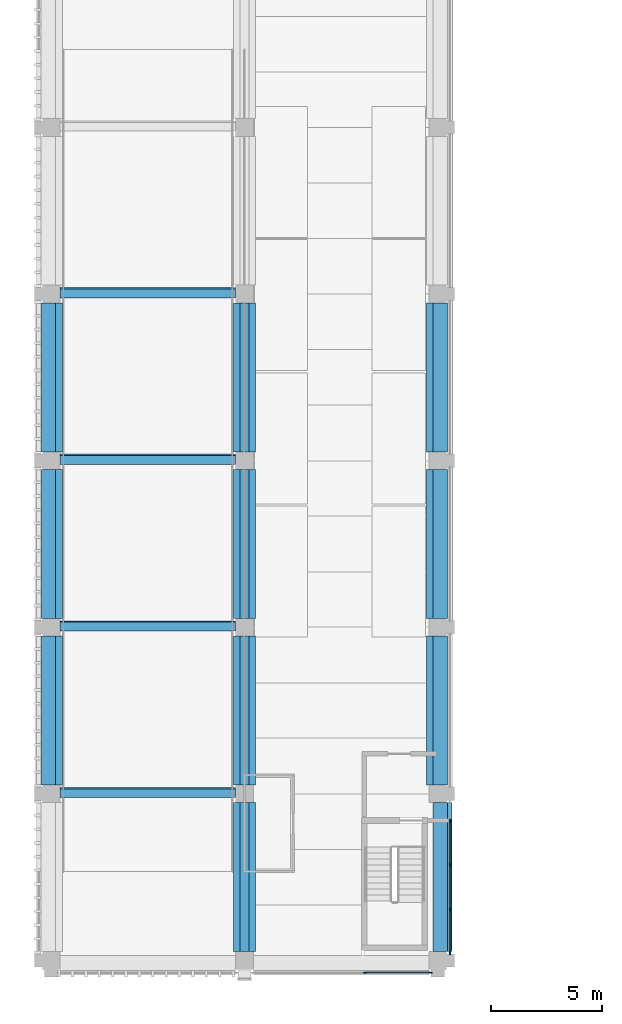
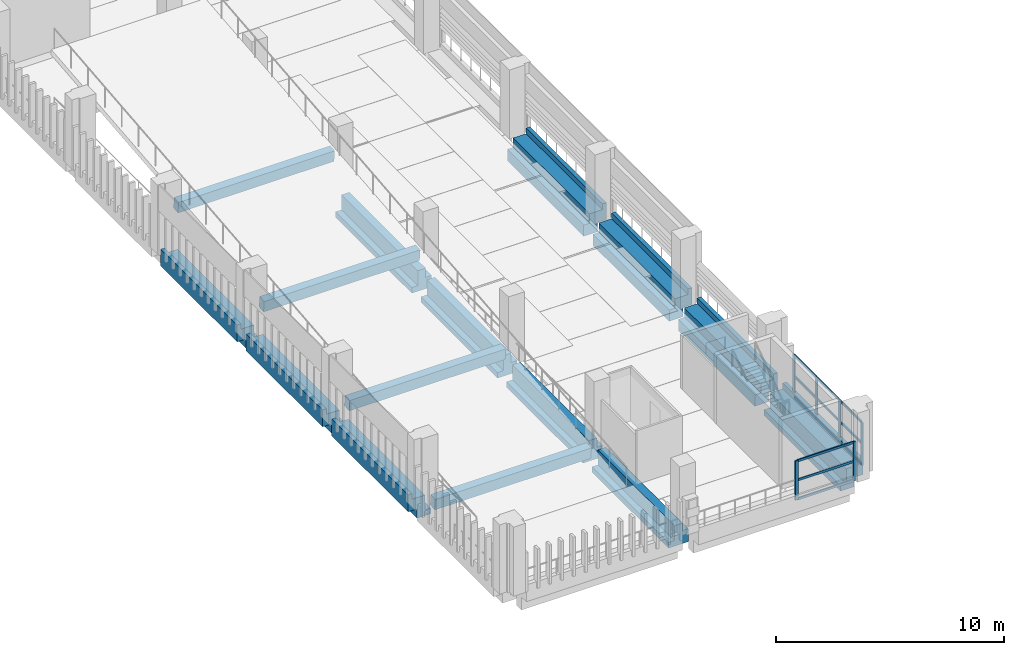
# One storey, part 2 of 52: 18 members, 15 beams, 2 elements without a shape of their own.
"""IFC4 building model written with IfcOpenShell, lengths in metres."""

from ifc_helpers import new_model, si_unit, direction, frame, origin, origin_2d, place, context, subcontext, project, spatial, polyline, rectangle, outline, extrude, material, layer, layer_set, material_profile, profile_set, type_object, element, aggregate, save


model = new_model("IFC4")

# Units and contexts
model_context = context("Model", 3, precision=1e-05, world=origin(), true_north=direction((0.0, 1.0)))
body_context = subcontext(model_context, "Body", "Model", "MODEL_VIEW")
ifc_project = project(units=[si_unit("LENGTHUNIT", "METRE"), si_unit("AREAUNIT", "SQUARE_METRE"), si_unit("VOLUMEUNIT", "CUBIC_METRE"), si_unit("PLANEANGLEUNIT", "RADIAN"), si_unit("MASSUNIT", "GRAM", prefix="KILO")], contexts=[model_context])

# Site, building, storey
site_placement = place(None, origin())
site = spatial("IfcSite", under=ifc_project, at=site_placement, CompositionType="ELEMENT")
building_placement = place(site_placement, origin())
building = spatial("IfcBuilding", under=site, at=building_placement, Name="Cour d'Honneur Mobility Palace", CompositionType="ELEMENT")
storey_placement = place(building_placement, frame((0.0, 0.0, 23.0)))
storey = spatial("IfcBuildingStorey", under=building, at=storey_placement, Name="L06", CompositionType="ELEMENT", Elevation=23.0)

# Curtain wall, members
ifc_material_1 = material(Name="Aluminium and glass", Category="aluminium")
ifc_layer = layer(ifc_material_1, 0.10009765625)
ifc_layer_set = layer_set([ifc_layer], Name="Aluminium and glass")
curtain_wall_type = type_object("IfcCurtainWallType", Name="Curtain wall run", PredefinedType="NOTDEFINED", material=ifc_layer_set)
curtain_wall_1_placement = place(storey_placement, origin())
curtain_wall_1 = element("IfcCurtainWall", 1, at=curtain_wall_1_placement, inside=storey, type_object=curtain_wall_type, Name="Curtain wall CW-163", PredefinedType="NOTDEFINED")
ifc_material_2 = material(Name="Aluminium", Category="aluminium")
ifc_material_profile_1 = material_profile(ifc_material_2, rectangle(XDim=0.06005859375, YDim=0.159912109375, at=origin_2d()), Name="Curtain wall mullion")
ifc_profile_set_1 = profile_set([ifc_material_profile_1], Name="Aluminium")
member_type_1 = type_object("IfcMemberType", Name="Curtain wall mullion", PredefinedType="MULLION", material=ifc_profile_set_1)
member_1_placement = place(storey_placement, frame((14.1298828125, -0.550048828125, 0.0), z_axis=(0.0, 0.0, 1.0), x_axis=(0.0, 1.0, 0.0)))
member_1 = element("IfcMember", 2, at=member_1_placement, type_object=member_type_1, Name="CW-163 mullion 1", PredefinedType="MULLION", context=body_context, shape_type="SweptSolid", body=[
    extrude(rectangle(XDim=0.06005859375, YDim=0.159912109375, at=origin_2d()), origin(), (0.0, 0.0, 1.0), 2.10009765625),
])
member_2_placement = place(storey_placement, frame((17.070068359375, -0.550048828125, 0.0), z_axis=(0.0, 0.0, 1.0), x_axis=(0.0, 1.0, 0.0)))
member_2 = element("IfcMember", 3, at=member_2_placement, type_object=member_type_1, Name="CW-163 mullion 2", PredefinedType="MULLION", context=body_context, shape_type="SweptSolid", body=[
    extrude(rectangle(XDim=0.06005859375, YDim=0.159912109375, at=origin_2d()), origin(), (0.0, 0.0, 1.0), 2.10009765625),
])

curtain_wall_2_placement = place(storey_placement, origin())
curtain_wall_2 = element("IfcCurtainWall", 4, at=curtain_wall_2_placement, inside=storey, type_object=curtain_wall_type, Name="Curtain wall CW-164", PredefinedType="NOTDEFINED")
member_3_placement = place(storey_placement, frame((17.949951171875, 0.330078125, 0.0), z_axis=(0.0, 0.0, 1.0), x_axis=(-1.0, 0.0, 0.0)))
member_3 = element("IfcMember", 5, at=member_3_placement, type_object=member_type_1, Name="CW-164 mullion 1", PredefinedType="MULLION", context=body_context, shape_type="SweptSolid", body=[
    extrude(rectangle(XDim=0.06005859375, YDim=0.159912109375, at=origin_2d()), origin(), (0.0, 0.0, 1.0), 2.300048828125),
])
member_4_placement = place(storey_placement, frame((17.949951171875, 2.300048828125, 0.0), z_axis=(0.0, 0.0, 1.0), x_axis=(-1.0, 0.0, 0.0)))
member_4 = element("IfcMember", 6, at=member_4_placement, type_object=member_type_1, Name="CW-164 mullion 2", PredefinedType="MULLION", context=body_context, shape_type="SweptSolid", body=[
    extrude(rectangle(XDim=0.06005859375, YDim=0.159912109375, at=origin_2d()), origin(), (0.0, 0.0, 1.0), 2.300048828125),
])
member_5_placement = place(storey_placement, frame((17.949951171875, 4.300048828125, 0.0), z_axis=(0.0, 0.0, 1.0), x_axis=(-1.0, 0.0, 0.0)))
member_5 = element("IfcMember", 7, at=member_5_placement, type_object=member_type_1, Name="CW-164 mullion 3", PredefinedType="MULLION", context=body_context, shape_type="SweptSolid", body=[
    extrude(rectangle(XDim=0.06005859375, YDim=0.159912109375, at=origin_2d()), origin(), (0.0, 0.0, 1.0), 2.300048828125),
])
member_6_placement = place(storey_placement, frame((17.949951171875, 6.27001953125, 0.0), z_axis=(0.0, 0.0, 1.0), x_axis=(-1.0, 0.0, 0.0)))
member_6 = element("IfcMember", 8, at=member_6_placement, type_object=member_type_1, Name="CW-164 mullion 4", PredefinedType="MULLION", context=body_context, shape_type="SweptSolid", body=[
    extrude(rectangle(XDim=0.06005859375, YDim=0.159912109375, at=origin_2d()), origin(), (0.0, 0.0, 1.0), 2.300048828125),
])

# Member
ifc_material_3 = material(Name="Aluminium", Category="aluminium")
ifc_material_profile_2 = material_profile(ifc_material_3, rectangle(XDim=0.06005859375, YDim=0.1201171875, at=origin_2d()), Name="Curtain wall transom")
ifc_profile_set_2 = profile_set([ifc_material_profile_2], Name="Aluminium")
member_type_2 = type_object("IfcMemberType", Name="Curtain wall transom", PredefinedType="USERDEFINED", material=ifc_profile_set_2)
member_7_placement = place(storey_placement, frame((14.159912109375, -0.550048828125, 0.030029296875), z_axis=(1.0, 0.0, 0.0), x_axis=(0.0, 1.0, 0.0)))
member_7 = element("IfcMember", 9, at=member_7_placement, type_object=member_type_2, Name="CW-163 transom 1.1", ObjectType="TRANSOM", PredefinedType="USERDEFINED", context=body_context, shape_type="SweptSolid", body=[
    extrude(rectangle(XDim=0.06005859375, YDim=0.1201171875, at=origin_2d()), origin(), (0.0, 0.0, 1.0), 2.880126953125),
])

member_8_placement = place(storey_placement, frame((14.159912109375, -0.550048828125, 1.050048828125), z_axis=(1.0, 0.0, 0.0), x_axis=(0.0, 1.0, 0.0)))
member_8 = element("IfcMember", 10, at=member_8_placement, type_object=member_type_2, Name="CW-163 transom 1.2", ObjectType="TRANSOM", PredefinedType="USERDEFINED", context=body_context, shape_type="SweptSolid", body=[
    extrude(rectangle(XDim=0.06005859375, YDim=0.1201171875, at=origin_2d()), origin(), (0.0, 0.0, 1.0), 2.880126953125),
])

member_9_placement = place(storey_placement, frame((14.159912109375, -0.550048828125, 2.070068359375), z_axis=(1.0, 0.0, 0.0), x_axis=(0.0, 1.0, 0.0)))
member_9 = element("IfcMember", 11, at=member_9_placement, type_object=member_type_2, Name="CW-163 transom 1.3", ObjectType="TRANSOM", PredefinedType="USERDEFINED", context=body_context, shape_type="SweptSolid", body=[
    extrude(rectangle(XDim=0.06005859375, YDim=0.1201171875, at=origin_2d()), origin(), (0.0, 0.0, 1.0), 2.880126953125),
])

aggregate(curtain_wall_1, [member_1, member_2, member_7, member_8, member_9])

member_10_placement = place(storey_placement, frame((17.949951171875, 0.360107421875, 0.030029296875), z_axis=(0.0, 1.0, 0.0), x_axis=(-1.0, 0.0, 0.0)))
member_10 = element("IfcMember", 12, at=member_10_placement, type_object=member_type_2, Name="CW-164 transom 1.1", ObjectType="TRANSOM", PredefinedType="USERDEFINED", context=body_context, shape_type="SweptSolid", body=[
    extrude(rectangle(XDim=0.06005859375, YDim=0.1201171875, at=origin_2d()), origin(), (0.0, 0.0, 1.0), 1.909912109375),
])

member_11_placement = place(storey_placement, frame((17.949951171875, 0.360107421875, 1.14990234375), z_axis=(0.0, 1.0, 0.0), x_axis=(-1.0, 0.0, 0.0)))
member_11 = element("IfcMember", 13, at=member_11_placement, type_object=member_type_2, Name="CW-164 transom 1.2", ObjectType="TRANSOM", PredefinedType="USERDEFINED", context=body_context, shape_type="SweptSolid", body=[
    extrude(rectangle(XDim=0.06005859375, YDim=0.1201171875, at=origin_2d()), origin(), (0.0, 0.0, 1.0), 1.909912109375),
])

member_12_placement = place(storey_placement, frame((17.949951171875, 0.360107421875, 2.27001953125), z_axis=(0.0, 1.0, 0.0), x_axis=(-1.0, 0.0, 0.0)))
member_12 = element("IfcMember", 14, at=member_12_placement, type_object=member_type_2, Name="CW-164 transom 1.3", ObjectType="TRANSOM", PredefinedType="USERDEFINED", context=body_context, shape_type="SweptSolid", body=[
    extrude(rectangle(XDim=0.06005859375, YDim=0.1201171875, at=origin_2d()), origin(), (0.0, 0.0, 1.0), 1.909912109375),
])

member_13_placement = place(storey_placement, frame((17.949951171875, 2.330078125, 0.030029296875), z_axis=(0.0, 1.0, 0.0), x_axis=(-1.0, 0.0, 0.0)))
member_13 = element("IfcMember", 15, at=member_13_placement, type_object=member_type_2, Name="CW-164 transom 2.1", ObjectType="TRANSOM", PredefinedType="USERDEFINED", context=body_context, shape_type="SweptSolid", body=[
    extrude(rectangle(XDim=0.06005859375, YDim=0.1201171875, at=origin_2d()), origin(), (0.0, 0.0, 1.0), 1.93994140625),
])

member_14_placement = place(storey_placement, frame((17.949951171875, 2.330078125, 1.14990234375), z_axis=(0.0, 1.0, 0.0), x_axis=(-1.0, 0.0, 0.0)))
member_14 = element("IfcMember", 16, at=member_14_placement, type_object=member_type_2, Name="CW-164 transom 2.2", ObjectType="TRANSOM", PredefinedType="USERDEFINED", context=body_context, shape_type="SweptSolid", body=[
    extrude(rectangle(XDim=0.06005859375, YDim=0.1201171875, at=origin_2d()), origin(), (0.0, 0.0, 1.0), 1.93994140625),
])

member_15_placement = place(storey_placement, frame((17.949951171875, 2.330078125, 2.27001953125), z_axis=(0.0, 1.0, 0.0), x_axis=(-1.0, 0.0, 0.0)))
member_15 = element("IfcMember", 17, at=member_15_placement, type_object=member_type_2, Name="CW-164 transom 2.3", ObjectType="TRANSOM", PredefinedType="USERDEFINED", context=body_context, shape_type="SweptSolid", body=[
    extrude(rectangle(XDim=0.06005859375, YDim=0.1201171875, at=origin_2d()), origin(), (0.0, 0.0, 1.0), 1.93994140625),
])

member_16_placement = place(storey_placement, frame((17.949951171875, 4.330078125, 0.030029296875), z_axis=(0.0, 1.0, 0.0), x_axis=(-1.0, 0.0, 0.0)))
member_16 = element("IfcMember", 18, at=member_16_placement, type_object=member_type_2, Name="CW-164 transom 3.1", ObjectType="TRANSOM", PredefinedType="USERDEFINED", context=body_context, shape_type="SweptSolid", body=[
    extrude(rectangle(XDim=0.06005859375, YDim=0.1201171875, at=origin_2d()), origin(), (0.0, 0.0, 1.0), 1.909912109375),
])

member_17_placement = place(storey_placement, frame((17.949951171875, 4.330078125, 1.14990234375), z_axis=(0.0, 1.0, 0.0), x_axis=(-1.0, 0.0, 0.0)))
member_17 = element("IfcMember", 19, at=member_17_placement, type_object=member_type_2, Name="CW-164 transom 3.2", ObjectType="TRANSOM", PredefinedType="USERDEFINED", context=body_context, shape_type="SweptSolid", body=[
    extrude(rectangle(XDim=0.06005859375, YDim=0.1201171875, at=origin_2d()), origin(), (0.0, 0.0, 1.0), 1.909912109375),
])

member_18_placement = place(storey_placement, frame((17.949951171875, 4.330078125, 2.27001953125), z_axis=(0.0, 1.0, 0.0), x_axis=(-1.0, 0.0, 0.0)))
member_18 = element("IfcMember", 20, at=member_18_placement, type_object=member_type_2, Name="CW-164 transom 3.3", ObjectType="TRANSOM", PredefinedType="USERDEFINED", context=body_context, shape_type="SweptSolid", body=[
    extrude(rectangle(XDim=0.06005859375, YDim=0.1201171875, at=origin_2d()), origin(), (0.0, 0.0, 1.0), 1.909912109375),
])

aggregate(curtain_wall_2, [member_3, member_4, member_5, member_6, member_10, member_11, member_12, member_13, member_14, member_15, member_16, member_17, member_18])

# Beams
ifc_material_4 = material(Name="Concrete C45", Category="concrete")
ifc_material_profile_3 = material_profile(ifc_material_4, outline(polyline([(0.5, -1.10009765625), (0.5, -0.800048828125), (0.199951171875, -0.800048828125), (0.199951171875, 0.0), (-0.199951171875, 0.0), (-0.199951171875, -0.5), (-0.5, -0.5), (-0.5, -1.10009765625), (0.5, -1.10009765625)])), Name="Inverted Tee Beam 400x1100 ledges 300/600 plain")
ifc_profile_set_3 = profile_set([ifc_material_profile_3], Name="Concrete C45")
beam_type_1 = type_object("IfcBeamType", Name="Inverted Tee Beam 400x1100 ledges 300/600 plain", PredefinedType="T_BEAM", material=ifc_profile_set_3)
for number, where, z_axis, x_axis, name in (
    (21, (8.699951171875, 7.89990234375, 0.0), (0.0, 1.0, 0.0), (-1.0, 0.0, 0.0), "Precast beam B11 B-C L06"),
    (22, (8.699951171875, 15.39990234375, 0.0), (0.0, 1.0, 0.0), (-1.0, 0.0, 0.0), "Precast beam B11 C-D L06"),
    (23, (8.699951171875, 22.89990234375, 0.0), (0.0, 1.0, 0.0), (-1.0, 0.0, 0.0), "Precast beam B11 D-E L06"),
):
    element("IfcBeam", number, at=place(storey_placement, frame(where, z_axis=z_axis, x_axis=x_axis)), inside=storey, type_object=beam_type_1, Name=name, PredefinedType="T_BEAM", context=body_context, shape_type="SweptSolid", body=[
        extrude(outline(polyline([(0.5, -1.10009765625), (0.5, -0.800048828125), (0.199951171875, -0.800048828125), (0.199951171875, 0.0), (-0.199951171875, 0.0), (-0.199951171875, -0.5), (-0.5, -0.5), (-0.5, -1.10009765625), (0.5, -1.10009765625)])), origin(), (0.0, 0.0, 1.0), 6.7001953125),
    ])
ifc_material_5 = material(Name="Concrete C45", Category="concrete")
ifc_material_profile_4 = material_profile(ifc_material_5, outline(polyline([(0.5, -1.10009765625), (0.5, -0.800048828125), (0.199951171875, -0.800048828125), (0.199951171875, 0.0), (-0.199951171875, 0.0), (-0.199951171875, -0.39990234375), (-0.5, -0.39990234375), (-0.5, -1.10009765625), (0.5, -1.10009765625)])), Name="Inverted Tee Beam 400x1100 ledges 300/700 plain")
ifc_profile_set_4 = profile_set([ifc_material_profile_4], Name="Concrete C45")
beam_type_2 = type_object("IfcBeamType", Name="Inverted Tee Beam 400x1100 ledges 300/700 plain", PredefinedType="T_BEAM", material=ifc_profile_set_4)
beam_1_placement = place(storey_placement, frame((8.699951171875, 0.39990234375, 0.0), z_axis=(0.0, 1.0, 0.0), x_axis=(-1.0, 0.0, 0.0)))
element("IfcBeam", 24, at=beam_1_placement, inside=storey, type_object=beam_type_2, Name="Precast beam B10 A-B L06", PredefinedType="T_BEAM", context=body_context, shape_type="SweptSolid", body=[
    extrude(outline(polyline([(0.5, -1.10009765625), (0.5, -0.800048828125), (0.199951171875, -0.800048828125), (0.199951171875, 0.0), (-0.199951171875, 0.0), (-0.199951171875, -0.39990234375), (-0.5, -0.39990234375), (-0.5, -1.10009765625), (0.5, -1.10009765625)])), origin(), (0.0, 0.0, 1.0), 6.7001953125),
])
ifc_material_6 = material(Name="Concrete C45", Category="concrete")
ifc_material_profile_5 = material_profile(ifc_material_6, outline(polyline([(0.5, -1.10009765625), (0.5, -0.800048828125), (0.199951171875, -0.800048828125), (0.199951171875, 0.0), (-0.199951171875, 0.0), (-0.449951171875, 0.0), (-0.449951171875, 0.300048828125), (-0.64990234375, 0.300048828125), (-0.64990234375, -0.60009765625), (-0.199951171875, -0.60009765625), (-0.199951171875, -1.10009765625), (0.5, -1.10009765625)])), Name="Ledger Beam 400x1100 ledge left 300 facade right")
ifc_profile_set_5 = profile_set([ifc_material_profile_5], Name="Concrete C45")
beam_type_3 = type_object("IfcBeamType", Name="Ledger Beam 400x1100 ledge left 300 facade right", PredefinedType="BEAM", material=ifc_profile_set_5)
beam_2_placement = place(storey_placement, frame((17.39990234375, 0.39990234375, 0.0), z_axis=(0.0, 1.0, 0.0), x_axis=(-1.0, 0.0, 0.0)))
element("IfcBeam", 25, at=beam_2_placement, inside=storey, type_object=beam_type_3, Name="Precast beam B3 A-B L06", PredefinedType="BEAM", context=body_context, shape_type="SweptSolid", body=[
    extrude(outline(polyline([(0.5, -1.10009765625), (0.5, -0.800048828125), (0.199951171875, -0.800048828125), (0.199951171875, 0.0), (-0.199951171875, 0.0), (-0.449951171875, 0.0), (-0.449951171875, 0.300048828125), (-0.64990234375, 0.300048828125), (-0.64990234375, -0.60009765625), (-0.199951171875, -0.60009765625), (-0.199951171875, -1.10009765625), (0.5, -1.10009765625)])), origin(), (0.0, 0.0, 1.0), 6.7001953125),
])
ifc_material_7 = material(Name="Concrete C45", Category="concrete")
ifc_material_profile_6 = material_profile(ifc_material_7, outline(polyline([(0.5, -1.10009765625), (0.5, -0.5), (0.199951171875, -0.5), (0.199951171875, 0.0), (-0.199951171875, 0.0), (-0.449951171875, 0.0), (-0.449951171875, 0.300048828125), (-0.64990234375, 0.300048828125), (-0.64990234375, -0.60009765625), (-0.199951171875, -0.60009765625), (-0.199951171875, -1.10009765625), (0.5, -1.10009765625)])), Name="Ledger Beam 400x1100 ledge left 600 facade right")
ifc_profile_set_6 = profile_set([ifc_material_profile_6], Name="Concrete C45")
beam_type_4 = type_object("IfcBeamType", Name="Ledger Beam 400x1100 ledge left 600 facade right", PredefinedType="BEAM", material=ifc_profile_set_6)
for number, where, z_axis, x_axis, name in (
    (26, (17.39990234375, 7.89990234375, 0.0), (0.0, 1.0, 0.0), (-1.0, 0.0, 0.0), "Precast beam B12 B-C L06"),
    (27, (17.39990234375, 15.39990234375, 0.0), (0.0, 1.0, 0.0), (-1.0, 0.0, 0.0), "Precast beam B12 C-D L06"),
    (28, (17.39990234375, 22.89990234375, 0.0), (0.0, 1.0, 0.0), (-1.0, 0.0, 0.0), "Precast beam B12 D-E L06"),
):
    element("IfcBeam", number, at=place(storey_placement, frame(where, z_axis=z_axis, x_axis=x_axis)), inside=storey, type_object=beam_type_4, Name=name, PredefinedType="BEAM", context=body_context, shape_type="SweptSolid", body=[
        extrude(outline(polyline([(0.5, -1.10009765625), (0.5, -0.5), (0.199951171875, -0.5), (0.199951171875, 0.0), (-0.199951171875, 0.0), (-0.449951171875, 0.0), (-0.449951171875, 0.300048828125), (-0.64990234375, 0.300048828125), (-0.64990234375, -0.60009765625), (-0.199951171875, -0.60009765625), (-0.199951171875, -1.10009765625), (0.5, -1.10009765625)])), origin(), (0.0, 0.0, 1.0), 6.7001953125),
    ])
ifc_material_8 = material(Name="Concrete C45", Category="concrete")
ifc_material_profile_7 = material_profile(ifc_material_8, outline(polyline([(0.199951171875, -1.10009765625), (0.199951171875, -0.60009765625), (0.64990234375, -0.60009765625), (0.64990234375, 0.300048828125), (0.449951171875, 0.300048828125), (0.449951171875, 0.0), (0.199951171875, 0.0), (-0.199951171875, 0.0), (-0.199951171875, -0.800048828125), (-0.5, -0.800048828125), (-0.5, -1.10009765625), (0.199951171875, -1.10009765625)])), Name="Ledger Beam 400x1100 ledge right 300 facade left")
ifc_profile_set_7 = profile_set([ifc_material_profile_7], Name="Concrete C45")
beam_type_5 = type_object("IfcBeamType", Name="Ledger Beam 400x1100 ledge right 300 facade left", PredefinedType="BEAM", material=ifc_profile_set_7)
for number, where, z_axis, x_axis, name in (
    (29, (0.0, 7.89990234375, 0.0), (0.0, 1.0, 0.0), (-1.0, 0.0, 0.0), "Precast beam B6 B-C L06"),
    (30, (0.0, 15.39990234375, 0.0), (0.0, 1.0, 0.0), (-1.0, 0.0, 0.0), "Precast beam B6 C-D L06"),
    (31, (0.0, 22.89990234375, 0.0), (0.0, 1.0, 0.0), (-1.0, 0.0, 0.0), "Precast beam B6 D-E L06"),
):
    element("IfcBeam", number, at=place(storey_placement, frame(where, z_axis=z_axis, x_axis=x_axis)), inside=storey, type_object=beam_type_5, Name=name, PredefinedType="BEAM", context=body_context, shape_type="SweptSolid", body=[
        extrude(outline(polyline([(0.199951171875, -1.10009765625), (0.199951171875, -0.60009765625), (0.64990234375, -0.60009765625), (0.64990234375, 0.300048828125), (0.449951171875, 0.300048828125), (0.449951171875, 0.0), (0.199951171875, 0.0), (-0.199951171875, 0.0), (-0.199951171875, -0.800048828125), (-0.5, -0.800048828125), (-0.5, -1.10009765625), (0.199951171875, -1.10009765625)])), origin(), (0.0, 0.0, 1.0), 6.7001953125),
    ])
ifc_material_9 = material(Name="Concrete C40", Category="concrete")
ifc_material_profile_8 = material_profile(ifc_material_9, rectangle(XDim=0.39990234375, YDim=0.60009765625, at=origin_2d()), Name="Ramp cross beam 400x600")
ifc_profile_set_8 = profile_set([ifc_material_profile_8], Name="Concrete C40")
beam_type_6 = type_object("IfcBeamType", Name="Ramp cross beam 400x600", PredefinedType="BEAM", material=ifc_profile_set_8)
for number, where, z_axis, x_axis, name in (
    (32, (0.39990234375, 7.559814453125, -0.2470703125), (1.0, 0.0, 0.0), (0.0, 0.995037190449, 0.099503716633), "Ramp cross beam SW.R6-1"),
    (33, (0.39990234375, 15.059814453125, 0.5029296875), (1.0, 0.0, 0.0), (0.0, 0.995037190449, 0.099503716633), "Ramp cross beam SW.R6-2"),
    (34, (0.39990234375, 22.559814453125, 1.2529296875), (1.0, 0.0, 0.0), (0.0, 0.995037190449, 0.099503716633), "Ramp cross beam SW.R6-3"),
    (35, (0.39990234375, 30.059814453125, 2.0029296875), (1.0, 0.0, 0.0), (0.0, 0.995037190449, 0.099503716633), "Ramp cross beam SW.R6-4"),
):
    element("IfcBeam", number, at=place(storey_placement, frame(where, z_axis=z_axis, x_axis=x_axis)), inside=storey, type_object=beam_type_6, Name=name, PredefinedType="BEAM", context=body_context, shape_type="SweptSolid", body=[
        extrude(rectangle(XDim=0.39990234375, YDim=0.60009765625, at=origin_2d()), origin(), (0.0, 0.0, 1.0), 7.900146484375),
    ])

save(model, "model.ifc")
